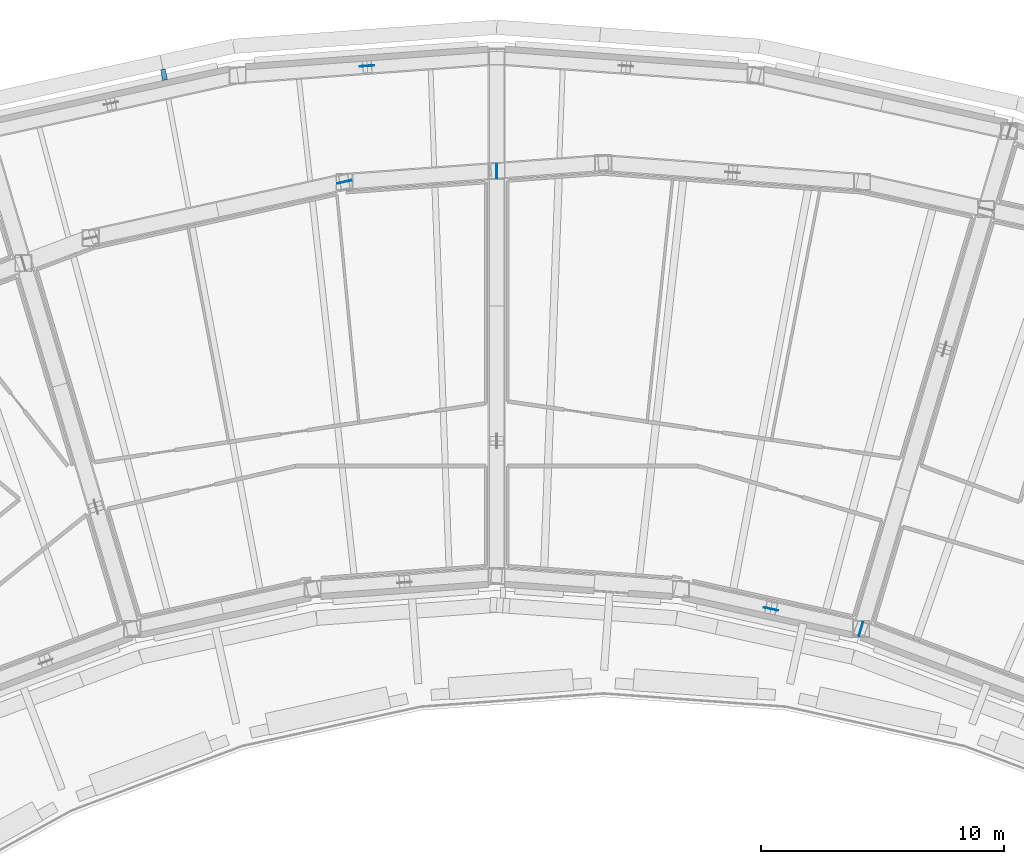
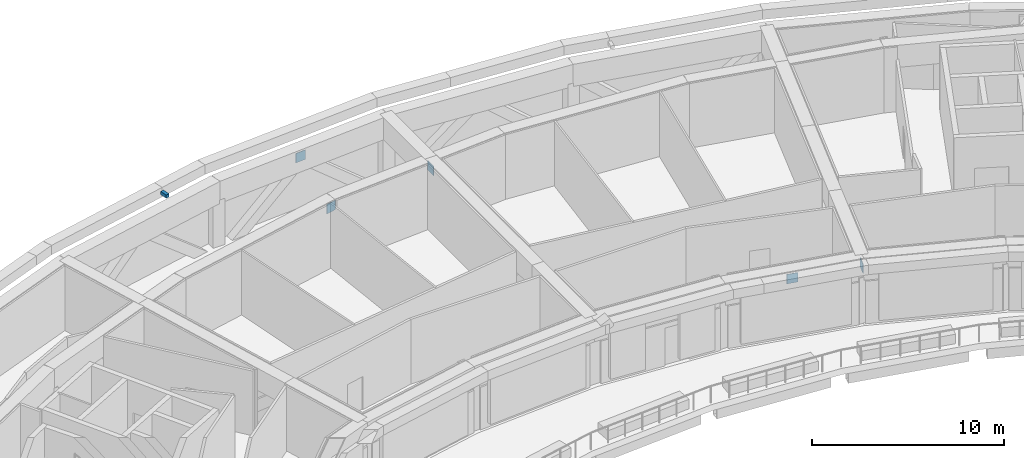
# One storey, part 18 of 26: 6 discrete accessories.
"""IFC4 building model written with IfcOpenShell, lengths in metres."""

from ifc_helpers import new_model, si_unit, direction, frame, origin, origin_2d, place, context, subcontext, project, spatial, rectangle, extrude, material, type_object, element, save


model = new_model("IFC4")

# Units and contexts
model_context = context("Model", 3, precision=1e-05, world=origin(), true_north=direction((0.0, 1.0)))
body_context = subcontext(model_context, "Body", "Model", "MODEL_VIEW")
ifc_project = project(units=[si_unit("LENGTHUNIT", "METRE"), si_unit("AREAUNIT", "SQUARE_METRE"), si_unit("VOLUMEUNIT", "CUBIC_METRE"), si_unit("PLANEANGLEUNIT", "RADIAN"), si_unit("MASSUNIT", "GRAM", prefix="KILO")], contexts=[model_context])

# Site, building, storey
site_placement = place(None, origin())
site = spatial("IfcSite", under=ifc_project, at=site_placement, CompositionType="ELEMENT")
building_placement = place(site_placement, origin())
building = spatial("IfcBuilding", under=site, at=building_placement, Name="Tuul Gate Civic Tower", CompositionType="ELEMENT")
storey_placement = place(building_placement, frame((0.0, 0.0, 167.60009765625)))
storey = spatial("IfcBuildingStorey", under=building, at=storey_placement, Name="Plant and refuge floor 5", CompositionType="ELEMENT", Elevation=167.60009765625)

# Discrete accessories
ifc_material_1 = material(Name="Steel S355", Category="steel")
discrete_accessory_type_1 = type_object("IfcDiscreteAccessoryType", Name="Gusset plate", PredefinedType="BRACKET", material=ifc_material_1)
for number, where, z_axis, x_axis, name in (
    (1, (15.973876953125, -9.92431640625, 3.103271484375), (0.0, 0.0, 1.0), (0.285212112775, 0.958464423297, 0.0), "Gusset plate"),
    (2, (0.989990234375, 8.914306640625, 3.103271484375), (0.0, 0.0, 1.0), (0.0, 1.0, 0.0), "Gusset plate"),
    (3, (-5.275146484375, 8.460205078125, 3.10302734375), (0.0, 0.0, 1.0), (-0.976568946286, -0.215204770275, 0.0), "Gusset plate"),
    (4, (-4.3349609375, 13.22998046875, 3.10302734375), (0.0, 0.0, 1.0), (0.997383034413, 0.072298566141, 0.0), "Gusset plate"),
    (5, (12.26904296875, -9.10595703125, 3.103759765625), (0.0, 0.0, 1.0), (-0.97656368755, 0.215228632292, 0.0), "Gusset plate"),
):
    element("IfcDiscreteAccessory", number, at=place(storey_placement, frame(where, z_axis=z_axis, x_axis=x_axis)), inside=storey, type_object=discrete_accessory_type_1, Name=name, PredefinedType="BRACKET", context=body_context, shape_type="SweptSolid", body=[
        extrude(rectangle(XDim=0.60009765625, YDim=0.030029296875, at=origin_2d()), origin(), (0.0, 0.0, 1.0), 0.60009765625),
    ])
ifc_material_2 = material(Name="Stainless steel", Category="steel")
discrete_accessory_type_2 = type_object("IfcDiscreteAccessoryType", Name="Screen bracket", PredefinedType="BRACKET", material=ifc_material_2)
discrete_accessory_placement = place(storey_placement, frame((-12.69189453125, 12.867431640625, 4.0498046875), z_axis=(0.0, 0.0, 1.0), x_axis=(-0.183853563591, 0.982953644459, 0.0)))
element("IfcDiscreteAccessory", 6, at=discrete_accessory_placement, inside=storey, type_object=discrete_accessory_type_2, Name="Screen bracket 10", PredefinedType="BRACKET", context=body_context, shape_type="SweptSolid", body=[
    extrude(rectangle(XDim=0.4501953125, YDim=0.199951171875, at=origin_2d()), origin(), (0.0, 0.0, 1.0), 0.199951171875),
])

save(model, "model.ifc")
